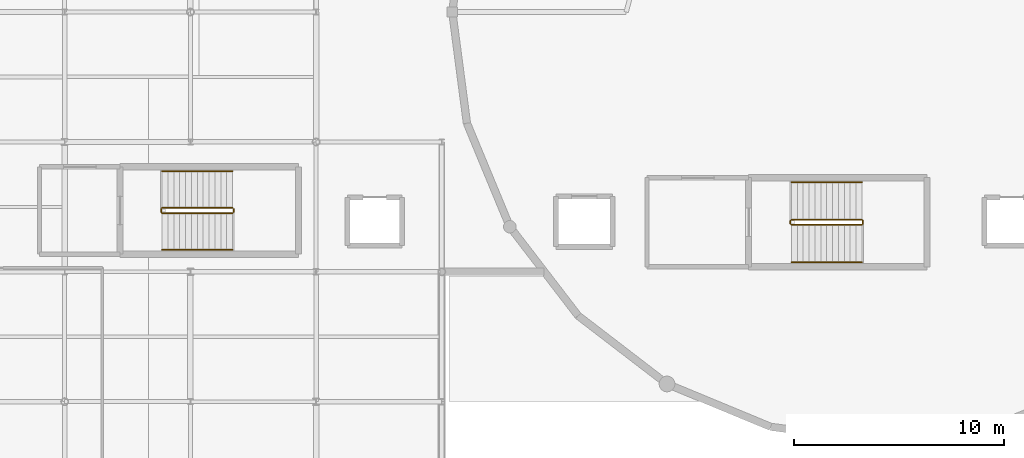
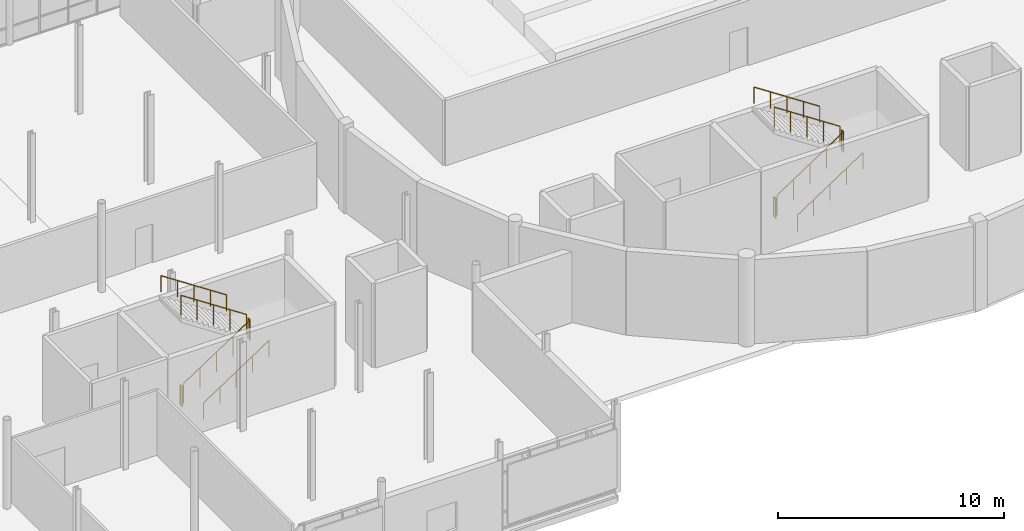
# One storey, part 77 of 84: 12 railings.
"""IFC4 building model written with IfcOpenShell, lengths in metres."""

from ifc_helpers import new_model, si_unit, direction, frame, origin, origin_2d, place, context, subcontext, project, spatial, circle, extrude, material, type_object, element, save


model = new_model("IFC4")

# Units and contexts
model_context = context("Model", 3, precision=1e-05, world=origin(), true_north=direction((0.0, 1.0)))
body_context = subcontext(model_context, "Body", "Model", "MODEL_VIEW")
ifc_project = project(units=[si_unit("LENGTHUNIT", "METRE"), si_unit("AREAUNIT", "SQUARE_METRE"), si_unit("VOLUMEUNIT", "CUBIC_METRE"), si_unit("PLANEANGLEUNIT", "RADIAN"), si_unit("MASSUNIT", "GRAM", prefix="KILO")], contexts=[model_context])

# Site, building, storey
site_placement = place(None, origin())
site = spatial("IfcSite", under=ifc_project, at=site_placement, CompositionType="ELEMENT")
building_placement = place(site_placement, origin())
building = spatial("IfcBuilding", under=site, at=building_placement, Name="Mirzam Square Science Centre", CompositionType="ELEMENT")
storey_placement = place(building_placement, frame((0.0, 0.0, 10.800048828125)))
storey = spatial("IfcBuildingStorey", under=building, at=storey_placement, Name="L02", CompositionType="ELEMENT", Elevation=10.800048828125)

# Railings
ifc_material_1 = material(Name="Bronze-Anodised Architectural Balustrade", Category="aluminium")
railing_type_1 = type_object("IfcRailingType", Name="RL-INT-GUARD-1100", PredefinedType="GUARDRAIL", material=ifc_material_1)
railing_1_placement = place(storey_placement, frame((46.64990234375, 52.39990234375, 0.1845703125)))
element("IfcRailing", 1, at=railing_1_placement, inside=storey, type_object=railing_type_1, Name="L02 ST-01 stair guard 1", PredefinedType="GUARDRAIL", context=body_context, shape_type="SweptSolid", body=[
    extrude(circle(Radius=0.02392578125, at=origin_2d()), frame((0.0, 0.0, 1.076171875), z_axis=(0.834876476806, 0.0, 0.550437342915), x_axis=(0.0, 1.0, 0.0)), (0.0, 0.0, 1.0), 4.024658203125),
    extrude(circle(Radius=0.02099609375, at=origin_2d()), origin(), (0.0, 0.0, 1.0), 1.052001953125),
    extrude(circle(Radius=0.02099609375, at=origin_2d()), frame((0.840087890625, 0.0, 0.5537109375)), (0.0, 0.0, 1.0), 1.052001953125),
    extrude(circle(Radius=0.02099609375, at=origin_2d()), frame((1.68017578125, 0.0, 1.107666015625)), (0.0, 0.0, 1.0), 1.052001953125),
    extrude(circle(Radius=0.02099609375, at=origin_2d()), frame((2.52001953125, 0.0, 1.66162109375)), (0.0, 0.0, 1.0), 1.052001953125),
    extrude(circle(Radius=0.02099609375, at=origin_2d()), frame((3.360107421875, 0.0, 2.21533203125)), (0.0, 0.0, 1.0), 1.052001953125),
])
railing_2_placement = place(storey_placement, frame((50.06005859375, 52.449951171875, 2.39990234375)))
element("IfcRailing", 2, at=railing_2_placement, inside=storey, type_object=railing_type_1, Name="L02 ST-01 stair guard 2", PredefinedType="GUARDRAIL", context=body_context, shape_type="SweptSolid", body=[
    extrude(circle(Radius=0.02392578125, at=origin_2d()), frame((0.0, 0.0, 1.076171875), z_axis=(0.0, 1.0, 0.0), x_axis=(-1.0, 0.0, 0.0)), (0.0, 0.0, 1.0), 0.150146484375),
    extrude(circle(Radius=0.02099609375, at=origin_2d()), origin(), (0.0, 0.0, 1.0), 1.052001953125),
    extrude(circle(Radius=0.02099609375, at=origin_2d()), frame((0.0, 0.150146484375, 0.0)), (0.0, 0.0, 1.0), 1.052001953125),
])
railing_3_placement = place(storey_placement, frame((50.010009765625, 52.64990234375, 2.58447265625)))
element("IfcRailing", 3, at=railing_3_placement, inside=storey, type_object=railing_type_1, Name="L02 ST-01 stair guard 3", PredefinedType="GUARDRAIL", context=body_context, shape_type="SweptSolid", body=[
    extrude(circle(Radius=0.02392578125, at=origin_2d()), frame((0.0, 0.0, 1.076171875), z_axis=(-0.834848600103, 0.0, 0.550479622607), x_axis=(0.0, -1.0, 0.0)), (0.0, 0.0, 1.0), 4.02490234375),
    extrude(circle(Radius=0.02099609375, at=origin_2d()), origin(), (0.0, 0.0, 1.0), 1.052001953125),
    extrude(circle(Radius=0.02099609375, at=origin_2d()), frame((-0.840087890625, 0.0, 0.553955078125)), (0.0, 0.0, 1.0), 1.052001953125),
    extrude(circle(Radius=0.02099609375, at=origin_2d()), frame((-1.68017578125, 0.0, 1.10791015625)), (0.0, 0.0, 1.0), 1.052001953125),
    extrude(circle(Radius=0.02099609375, at=origin_2d()), frame((-2.52001953125, 0.0, 1.66162109375)), (0.0, 0.0, 1.0), 1.052001953125),
    extrude(circle(Radius=0.02099609375, at=origin_2d()), frame((-3.360107421875, 0.0, 2.215576171875)), (0.0, 0.0, 1.0), 1.052001953125),
])
railing_4_placement = place(storey_placement, frame((46.60009765625, 52.449951171875, 0.0)))
element("IfcRailing", 4, at=railing_4_placement, inside=storey, type_object=railing_type_1, Name="L02 ST-01 stair guard 4", PredefinedType="GUARDRAIL", context=body_context, shape_type="SweptSolid", body=[
    extrude(circle(Radius=0.02392578125, at=origin_2d()), frame((0.0, 0.0, 1.076171875), z_axis=(0.0, 1.0, 0.0), x_axis=(-1.0, 0.0, 0.0)), (0.0, 0.0, 1.0), 0.150146484375),
    extrude(circle(Radius=0.02099609375, at=origin_2d()), origin(), (0.0, 0.0, 1.0), 1.052001953125),
    extrude(circle(Radius=0.02099609375, at=origin_2d()), frame((0.0, 0.150146484375, 0.0)), (0.0, 0.0, 1.0), 1.052001953125),
])
railing_5_placement = place(storey_placement, frame((76.68994140625, 51.840087890625, 0.1845703125)))
element("IfcRailing", 5, at=railing_5_placement, inside=storey, type_object=railing_type_1, Name="L02 ST-03 stair guard 1", PredefinedType="GUARDRAIL", context=body_context, shape_type="SweptSolid", body=[
    extrude(circle(Radius=0.02392578125, at=origin_2d()), frame((0.0, 0.0, 1.076171875), z_axis=(0.834876476806, 0.0, 0.550437342915), x_axis=(0.0, 1.0, 0.0)), (0.0, 0.0, 1.0), 4.024658203125),
    extrude(circle(Radius=0.02099609375, at=origin_2d()), origin(), (0.0, 0.0, 1.0), 1.052001953125),
    extrude(circle(Radius=0.02099609375, at=origin_2d()), frame((0.840087890625, 0.0, 0.5537109375)), (0.0, 0.0, 1.0), 1.052001953125),
    extrude(circle(Radius=0.02099609375, at=origin_2d()), frame((1.68017578125, 0.0, 1.107666015625)), (0.0, 0.0, 1.0), 1.052001953125),
    extrude(circle(Radius=0.02099609375, at=origin_2d()), frame((2.52001953125, 0.0, 1.66162109375)), (0.0, 0.0, 1.0), 1.052001953125),
    extrude(circle(Radius=0.02099609375, at=origin_2d()), frame((3.360107421875, 0.0, 2.21533203125)), (0.0, 0.0, 1.0), 1.052001953125),
])
railing_6_placement = place(storey_placement, frame((80.10009765625, 51.889892578125, 2.39990234375)))
element("IfcRailing", 6, at=railing_6_placement, inside=storey, type_object=railing_type_1, Name="L02 ST-03 stair guard 2", PredefinedType="GUARDRAIL", context=body_context, shape_type="SweptSolid", body=[
    extrude(circle(Radius=0.02392578125, at=origin_2d()), frame((0.0, 0.0, 1.076171875), z_axis=(0.0, 1.0, 0.0), x_axis=(-1.0, 0.0, 0.0)), (0.0, 0.0, 1.0), 0.150146484375),
    extrude(circle(Radius=0.02099609375, at=origin_2d()), origin(), (0.0, 0.0, 1.0), 1.052001953125),
    extrude(circle(Radius=0.02099609375, at=origin_2d()), frame((0.0, 0.150146484375, 0.0)), (0.0, 0.0, 1.0), 1.052001953125),
])
railing_7_placement = place(storey_placement, frame((80.050048828125, 52.090087890625, 2.58447265625)))
element("IfcRailing", 7, at=railing_7_placement, inside=storey, type_object=railing_type_1, Name="L02 ST-03 stair guard 3", PredefinedType="GUARDRAIL", context=body_context, shape_type="SweptSolid", body=[
    extrude(circle(Radius=0.02392578125, at=origin_2d()), frame((0.0, 0.0, 1.076171875), z_axis=(-0.834848600103, 0.0, 0.550479622607), x_axis=(0.0, -1.0, 0.0)), (0.0, 0.0, 1.0), 4.02490234375),
    extrude(circle(Radius=0.02099609375, at=origin_2d()), origin(), (0.0, 0.0, 1.0), 1.052001953125),
    extrude(circle(Radius=0.02099609375, at=origin_2d()), frame((-0.840087890625, 0.0, 0.553955078125)), (0.0, 0.0, 1.0), 1.052001953125),
    extrude(circle(Radius=0.02099609375, at=origin_2d()), frame((-1.68017578125, 0.0, 1.10791015625)), (0.0, 0.0, 1.0), 1.052001953125),
    extrude(circle(Radius=0.02099609375, at=origin_2d()), frame((-2.52001953125, 0.0, 1.66162109375)), (0.0, 0.0, 1.0), 1.052001953125),
    extrude(circle(Radius=0.02099609375, at=origin_2d()), frame((-3.360107421875, 0.0, 2.215576171875)), (0.0, 0.0, 1.0), 1.052001953125),
])
railing_8_placement = place(storey_placement, frame((76.639892578125, 51.889892578125, 0.0)))
element("IfcRailing", 8, at=railing_8_placement, inside=storey, type_object=railing_type_1, Name="L02 ST-03 stair guard 4", PredefinedType="GUARDRAIL", context=body_context, shape_type="SweptSolid", body=[
    extrude(circle(Radius=0.02392578125, at=origin_2d()), frame((0.0, 0.0, 1.076171875), z_axis=(0.0, 1.0, 0.0), x_axis=(-1.0, 0.0, 0.0)), (0.0, 0.0, 1.0), 0.150146484375),
    extrude(circle(Radius=0.02099609375, at=origin_2d()), origin(), (0.0, 0.0, 1.0), 1.052001953125),
    extrude(circle(Radius=0.02099609375, at=origin_2d()), frame((0.0, 0.150146484375, 0.0)), (0.0, 0.0, 1.0), 1.052001953125),
])
ifc_material_2 = material(Name="Brushed Bronze Tubular Handrail", Category="aluminium")
railing_type_2 = type_object("IfcRailingType", Name="RL-STAIR-HANDRAIL-900", PredefinedType="HANDRAIL", material=ifc_material_2)
railing_9_placement = place(storey_placement, frame((46.64990234375, 50.64990234375, 0.381103515625)))
element("IfcRailing", 9, at=railing_9_placement, inside=storey, type_object=railing_type_2, Name="L02 ST-01 stair handrail 1", PredefinedType="HANDRAIL", context=body_context, shape_type="SweptSolid", body=[
    extrude(circle(Radius=0.02392578125, at=origin_2d()), frame((0.0, 0.0, 0.8759765625), z_axis=(0.834848600103, 0.0, 0.550479622607), x_axis=(0.0, 1.0, 0.0)), (0.0, 0.0, 1.0), 4.02490234375),
    extrude(circle(Radius=0.02099609375, at=origin_2d()), origin(), (0.0, 0.0, 1.0), 0.851806640625),
    extrude(circle(Radius=0.02099609375, at=origin_2d()), frame((0.840087890625, 0.0, 0.553955078125)), (0.0, 0.0, 1.0), 0.851806640625),
    extrude(circle(Radius=0.02099609375, at=origin_2d()), frame((1.68017578125, 0.0, 1.10791015625)), (0.0, 0.0, 1.0), 0.851806640625),
    extrude(circle(Radius=0.02099609375, at=origin_2d()), frame((2.52001953125, 0.0, 1.66162109375)), (0.0, 0.0, 1.0), 0.851806640625),
    extrude(circle(Radius=0.02099609375, at=origin_2d()), frame((3.360107421875, 0.0, 2.215576171875)), (0.0, 0.0, 1.0), 0.851806640625),
])
railing_10_placement = place(storey_placement, frame((50.010009765625, 54.39990234375, 2.78125)))
element("IfcRailing", 10, at=railing_10_placement, inside=storey, type_object=railing_type_2, Name="L02 ST-01 stair handrail 2", PredefinedType="HANDRAIL", context=body_context, shape_type="SweptSolid", body=[
    extrude(circle(Radius=0.02392578125, at=origin_2d()), frame((0.0, 0.0, 0.8759765625), z_axis=(-0.834876476806, 0.0, 0.550437342915), x_axis=(0.0, -1.0, 0.0)), (0.0, 0.0, 1.0), 4.024658203125),
    extrude(circle(Radius=0.02099609375, at=origin_2d()), origin(), (0.0, 0.0, 1.0), 0.851806640625),
    extrude(circle(Radius=0.02099609375, at=origin_2d()), frame((-0.840087890625, 0.0, 0.5537109375)), (0.0, 0.0, 1.0), 0.851806640625),
    extrude(circle(Radius=0.02099609375, at=origin_2d()), frame((-1.68017578125, 0.0, 1.107666015625)), (0.0, 0.0, 1.0), 0.851806640625),
    extrude(circle(Radius=0.02099609375, at=origin_2d()), frame((-2.52001953125, 0.0, 1.66162109375)), (0.0, 0.0, 1.0), 0.851806640625),
    extrude(circle(Radius=0.02099609375, at=origin_2d()), frame((-3.360107421875, 0.0, 2.21533203125)), (0.0, 0.0, 1.0), 0.851806640625),
])
railing_11_placement = place(storey_placement, frame((76.68994140625, 50.050048828125, 0.381103515625)))
element("IfcRailing", 11, at=railing_11_placement, inside=storey, type_object=railing_type_2, Name="L02 ST-03 stair handrail 1", PredefinedType="HANDRAIL", context=body_context, shape_type="SweptSolid", body=[
    extrude(circle(Radius=0.02392578125, at=origin_2d()), frame((0.0, 0.0, 0.8759765625), z_axis=(0.834848600103, 0.0, 0.550479622607), x_axis=(0.0, 1.0, 0.0)), (0.0, 0.0, 1.0), 4.02490234375),
    extrude(circle(Radius=0.02099609375, at=origin_2d()), origin(), (0.0, 0.0, 1.0), 0.851806640625),
    extrude(circle(Radius=0.02099609375, at=origin_2d()), frame((0.840087890625, 0.0, 0.553955078125)), (0.0, 0.0, 1.0), 0.851806640625),
    extrude(circle(Radius=0.02099609375, at=origin_2d()), frame((1.68017578125, 0.0, 1.10791015625)), (0.0, 0.0, 1.0), 0.851806640625),
    extrude(circle(Radius=0.02099609375, at=origin_2d()), frame((2.52001953125, 0.0, 1.66162109375)), (0.0, 0.0, 1.0), 0.851806640625),
    extrude(circle(Radius=0.02099609375, at=origin_2d()), frame((3.360107421875, 0.0, 2.215576171875)), (0.0, 0.0, 1.0), 0.851806640625),
])
railing_12_placement = place(storey_placement, frame((80.050048828125, 53.8798828125, 2.78125)))
element("IfcRailing", 12, at=railing_12_placement, inside=storey, type_object=railing_type_2, Name="L02 ST-03 stair handrail 2", PredefinedType="HANDRAIL", context=body_context, shape_type="SweptSolid", body=[
    extrude(circle(Radius=0.02392578125, at=origin_2d()), frame((0.0, 0.0, 0.8759765625), z_axis=(-0.834876476806, 0.0, 0.550437342915), x_axis=(0.0, -1.0, 0.0)), (0.0, 0.0, 1.0), 4.024658203125),
    extrude(circle(Radius=0.02099609375, at=origin_2d()), origin(), (0.0, 0.0, 1.0), 0.851806640625),
    extrude(circle(Radius=0.02099609375, at=origin_2d()), frame((-0.840087890625, 0.0, 0.5537109375)), (0.0, 0.0, 1.0), 0.851806640625),
    extrude(circle(Radius=0.02099609375, at=origin_2d()), frame((-1.68017578125, 0.0, 1.107666015625)), (0.0, 0.0, 1.0), 0.851806640625),
    extrude(circle(Radius=0.02099609375, at=origin_2d()), frame((-2.52001953125, 0.0, 1.66162109375)), (0.0, 0.0, 1.0), 0.851806640625),
    extrude(circle(Radius=0.02099609375, at=origin_2d()), frame((-3.360107421875, 0.0, 2.21533203125)), (0.0, 0.0, 1.0), 0.851806640625),
])

save(model, "model.ifc")
